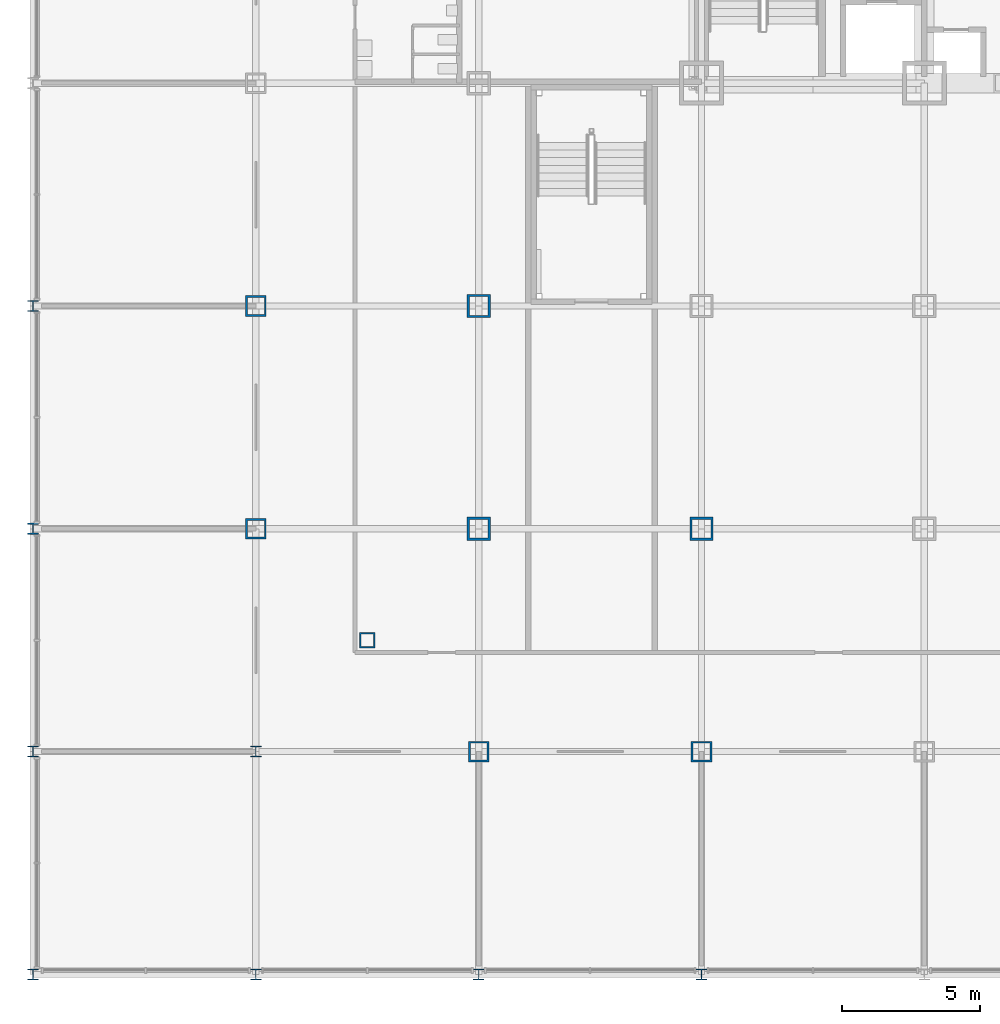
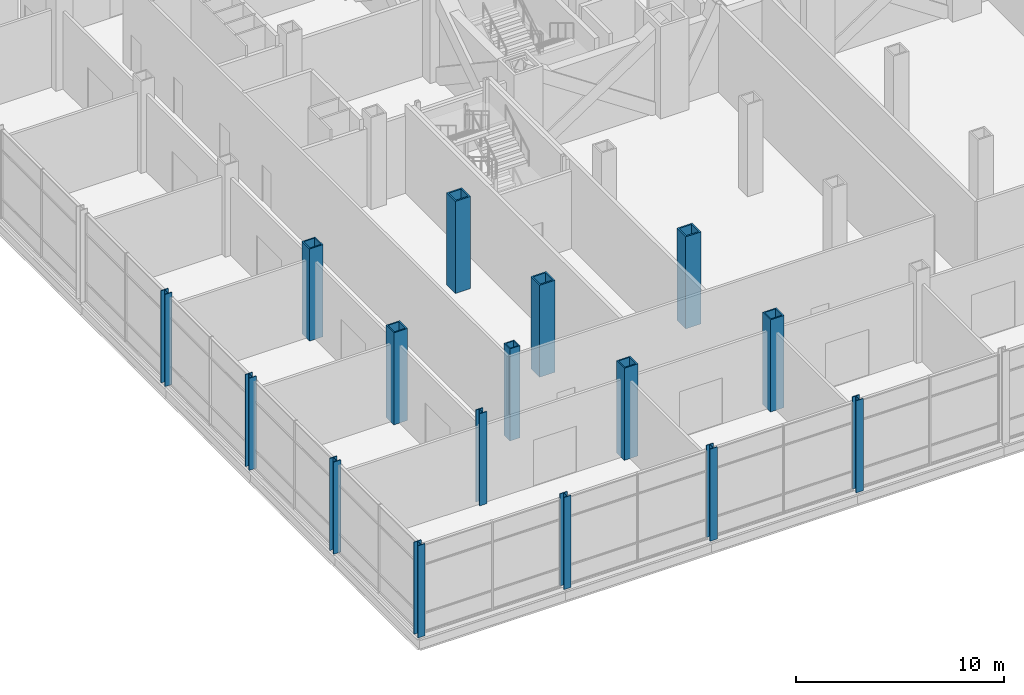
# One storey, part 1 of 30: 16 columns.
"""IFC4 building model written with IfcOpenShell, lengths in metres."""

from ifc_helpers import new_model, si_unit, direction, frame, origin, origin_2d, place, context, subcontext, project, spatial, hollow_rectangle, i_section, extrude, material, material_profile, profile_set, type_object, element, save


model = new_model("IFC4")

# Units and contexts
model_context = context("Model", 3, precision=1e-05, world=origin(), true_north=direction((0.0, 1.0)))
body_context = subcontext(model_context, "Body", "Model", "MODEL_VIEW")
ifc_project = project(units=[si_unit("LENGTHUNIT", "METRE"), si_unit("AREAUNIT", "SQUARE_METRE"), si_unit("VOLUMEUNIT", "CUBIC_METRE"), si_unit("PLANEANGLEUNIT", "RADIAN"), si_unit("MASSUNIT", "GRAM", prefix="KILO")], contexts=[model_context])

# Site, building, storey
site_placement = place(None, origin())
site = spatial("IfcSite", under=ifc_project, at=site_placement, CompositionType="ELEMENT")
building_placement = place(site_placement, origin())
building = spatial("IfcBuilding", under=site, at=building_placement, Name="Kopane Lantern Tower", CompositionType="ELEMENT")
storey_placement = place(building_placement, frame((0.0, 0.0, 6.0)))
storey = spatial("IfcBuildingStorey", under=building, at=storey_placement, Name="L01", CompositionType="ELEMENT", Elevation=6.0)

# Columns
ifc_material_1 = material(Name="Steel S355JR", Category="steel")
ifc_material_profile_1 = material_profile(ifc_material_1, hollow_rectangle(XDim=0.550048828125, YDim=0.550048828125, WallThickness=0.050048828125, at=origin_2d()), Name="BOX 550x550x50")
ifc_profile_set_1 = profile_set([ifc_material_profile_1], Name="Steel S355JR")
column_type_1 = type_object("IfcColumnType", Name="COLUMN BOX 550x550x50", PredefinedType="COLUMN", material=ifc_profile_set_1)
column_placement = place(storey_placement, frame((4.050048828125, 4.050048828125, 0.0), z_axis=(0.0, 0.0, 1.0), x_axis=(1.0, 0.0, 0.0)))
element("IfcColumn", 1, at=column_placement, inside=storey, type_object=column_type_1, Name="Column 4.05/4.05 L01", PredefinedType="COLUMN", context=body_context, shape_type="SweptSolid", body=[
    extrude(hollow_rectangle(XDim=0.550048828125, YDim=0.550048828125, WallThickness=0.050048828125, at=origin_2d()), origin(), (0.0, 0.0, 1.0), 5.39990234375),
])
ifc_material_2 = material(Name="Steel S355JR", Category="steel")
ifc_material_profile_2 = material_profile(ifc_material_2, hollow_rectangle(XDim=0.75, YDim=0.75, WallThickness=0.070068359375, at=origin_2d()), Name="BOX 750x750x70")
ifc_profile_set_2 = profile_set([ifc_material_profile_2], Name="Steel S355JR")
column_type_2 = type_object("IfcColumnType", Name="COLUMN BOX 750x750x70", PredefinedType="COLUMN", material=ifc_profile_set_2)
for number, where, z_axis, x_axis, name in (
    (2, (0.0, 8.10009765625, 0.0), (0.0, 0.0, 1.0), (1.0, 0.0, 0.0), "Column 2/C L01"),
    (3, (0.0, 16.199951171875, 0.0), (0.0, 0.0, 1.0), (1.0, 0.0, 0.0), "Column 2/D L01"),
    (4, (8.10009765625, 0.0, 0.0), (0.0, 0.0, 1.0), (1.0, 0.0, 0.0), "Column 3/B L01"),
    (5, (16.199951171875, 0.0, 0.0), (0.0, 0.0, 1.0), (1.0, 0.0, 0.0), "Column 4/B L01"),
):
    element("IfcColumn", number, at=place(storey_placement, frame(where, z_axis=z_axis, x_axis=x_axis)), inside=storey, type_object=column_type_2, Name=name, PredefinedType="COLUMN", context=body_context, shape_type="SweptSolid", body=[
        extrude(hollow_rectangle(XDim=0.75, YDim=0.75, WallThickness=0.070068359375, at=origin_2d()), origin(), (0.0, 0.0, 1.0), 5.39990234375),
    ])
ifc_material_3 = material(Name="Steel S355JR", Category="steel")
ifc_material_profile_3 = material_profile(ifc_material_3, hollow_rectangle(XDim=0.85009765625, YDim=0.85009765625, WallThickness=0.0849609375, at=origin_2d()), Name="BOX 850x850x85")
ifc_profile_set_3 = profile_set([ifc_material_profile_3], Name="Steel S355JR")
column_type_3 = type_object("IfcColumnType", Name="COLUMN BOX 850x850x85", PredefinedType="COLUMN", material=ifc_profile_set_3)
for number, where, z_axis, x_axis, name in (
    (6, (8.10009765625, 8.10009765625, 0.0), (0.0, 0.0, 1.0), (1.0, 0.0, 0.0), "Column 3/C L01"),
    (7, (8.10009765625, 16.199951171875, 0.0), (0.0, 0.0, 1.0), (1.0, 0.0, 0.0), "Column 3/D L01"),
    (8, (16.199951171875, 8.10009765625, 0.0), (0.0, 0.0, 1.0), (1.0, 0.0, 0.0), "Column 4/C L01"),
):
    element("IfcColumn", number, at=place(storey_placement, frame(where, z_axis=z_axis, x_axis=x_axis)), inside=storey, type_object=column_type_3, Name=name, PredefinedType="COLUMN", context=body_context, shape_type="SweptSolid", body=[
        extrude(hollow_rectangle(XDim=0.85009765625, YDim=0.85009765625, WallThickness=0.0849609375, at=origin_2d()), origin(), (0.0, 0.0, 1.0), 5.39990234375),
    ])
ifc_material_4 = material(Name="Steel S355JR", Category="steel")
ifc_material_profile_4 = material_profile(ifc_material_4, i_section(OverallWidth=0.403076171875, OverallDepth=0.406494140625, WebThickness=0.026611328125, FlangeThickness=0.04296875, FilletRadius=0.01513671875, at=origin_2d()), Name="UC 356x406x340")
ifc_profile_set_4 = profile_set([ifc_material_profile_4], Name="Steel S355JR")
column_type_4 = type_object("IfcColumnType", Name="COLUMN UC 356x406x340", PredefinedType="COLUMN", material=ifc_profile_set_4)
for number, where, z_axis, x_axis, name in (
    (9, (-8.10009765625, -8.10009765625, 0.0), (0.0, 0.0, 1.0), (1.0, 0.0, 0.0), "Column 1/A L01"),
    (10, (-8.10009765625, 0.0, 0.0), (0.0, 0.0, 1.0), (1.0, 0.0, 0.0), "Column 1/B L01"),
    (11, (-8.10009765625, 8.10009765625, 0.0), (0.0, 0.0, 1.0), (1.0, 0.0, 0.0), "Column 1/C L01"),
    (12, (-8.10009765625, 16.199951171875, 0.0), (0.0, 0.0, 1.0), (1.0, 0.0, 0.0), "Column 1/D L01"),
    (13, (0.0, -8.10009765625, 0.0), (0.0, 0.0, 1.0), (1.0, 0.0, 0.0), "Column 2/A L01"),
    (14, (0.0, 0.0, 0.0), (0.0, 0.0, 1.0), (1.0, 0.0, 0.0), "Column 2/B L01"),
    (15, (8.10009765625, -8.10009765625, 0.0), (0.0, 0.0, 1.0), (1.0, 0.0, 0.0), "Column 3/A L01"),
    (16, (16.199951171875, -8.10009765625, 0.0), (0.0, 0.0, 1.0), (1.0, 0.0, 0.0), "Column 4/A L01"),
):
    element("IfcColumn", number, at=place(storey_placement, frame(where, z_axis=z_axis, x_axis=x_axis)), inside=storey, type_object=column_type_4, Name=name, PredefinedType="COLUMN", context=body_context, shape_type="SweptSolid", body=[
        extrude(i_section(OverallWidth=0.403076171875, OverallDepth=0.406494140625, WebThickness=0.026611328125, FlangeThickness=0.04296875, FilletRadius=0.01513671875, at=origin_2d()), origin(), (0.0, 0.0, 1.0), 5.39990234375),
    ])

save(model, "model.ifc")
